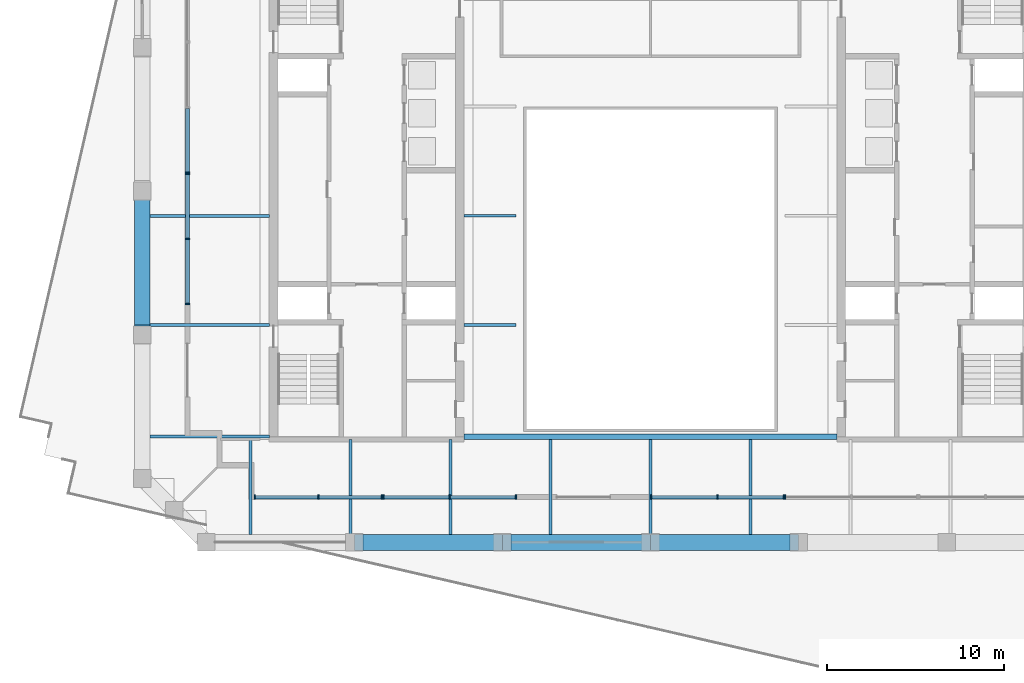
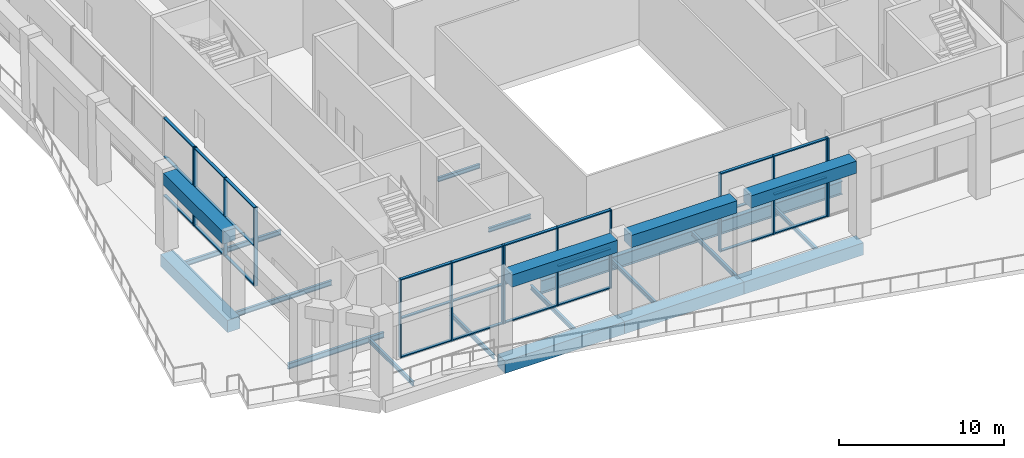
# One storey, part 2 of 20: 41 members, 20 beams, 6 elements without a shape of their own.
"""IFC4 building model written with IfcOpenShell, lengths in metres."""

from ifc_helpers import new_model, si_unit, direction, frame, origin, origin_2d, place, context, subcontext, project, spatial, rectangle, i_section, extrude, material, material_profile, profile_set, type_object, element, aggregate, save


model = new_model("IFC4")

# Units and contexts
model_context = context("Model", 3, precision=1e-05, world=origin(), true_north=direction((0.0, 1.0)))
body_context = subcontext(model_context, "Body", "Model", "MODEL_VIEW")
ifc_project = project(units=[si_unit("LENGTHUNIT", "METRE"), si_unit("AREAUNIT", "SQUARE_METRE"), si_unit("VOLUMEUNIT", "CUBIC_METRE"), si_unit("PLANEANGLEUNIT", "RADIAN"), si_unit("MASSUNIT", "GRAM", prefix="KILO")], contexts=[model_context])

# Site, building, storey
site_placement = place(None, origin())
site = spatial("IfcSite", under=ifc_project, at=site_placement, CompositionType="ELEMENT")
building_placement = place(site_placement, origin())
building = spatial("IfcBuilding", under=site, at=building_placement, Name="Ogive Exchange Tower", CompositionType="ELEMENT")
storey_placement = place(building_placement, frame((0.0, 0.0, 303.0)))
storey = spatial("IfcBuildingStorey", under=building, at=storey_placement, Name="L66", CompositionType="ELEMENT", Elevation=303.0)

# Beams
ifc_material_1 = material(Name="Steel ASTM A992 Gr50", Category="steel")
ifc_material_profile_1 = material_profile(ifc_material_1, i_section(OverallWidth=0.1650390625, OverallDepth=0.31005859375, WebThickness=0.005859375, FlangeThickness=0.009765625, at=origin_2d()), Name="W310x38.7")
ifc_profile_set_1 = profile_set([ifc_material_profile_1], Name="Steel ASTM A992 Gr50")
beam_type_1 = type_object("IfcBeamType", Name="Floor beam W310x38.7", PredefinedType="JOIST", material=ifc_profile_set_1)
for number, where, z_axis, x_axis, name in (
    (1, (-10.52001953125, 3.8583984375, -0.60498046875), (1.0, 0.0, 0.0), (0.0, 1.0, 0.0), "Floor beam"),
    (2, (-10.52001953125, 10.006591796875, -0.60498046875), (1.0, 0.0, 0.0), (0.0, 1.0, 0.0), "Floor beam"),
):
    element("IfcBeam", number, at=place(storey_placement, frame(where, z_axis=z_axis, x_axis=x_axis)), inside=storey, type_object=beam_type_1, Name=name, PredefinedType="JOIST", context=body_context, shape_type="SweptSolid", body=[
        extrude(i_section(OverallWidth=0.1650390625, OverallDepth=0.31005859375, WebThickness=0.005859375, FlangeThickness=0.009765625, at=origin_2d()), origin(), (0.0, 0.0, 1.0), 2.949951171875),
    ])
beam_1_placement = place(storey_placement, frame((-22.56005859375, -7.949951171875, -0.60498046875), z_axis=(0.0, 1.0, 0.0), x_axis=(-1.0, 0.0, 0.0)))
element("IfcBeam", 3, at=beam_1_placement, inside=storey, type_object=beam_type_1, Name="Floor beam", PredefinedType="JOIST", context=body_context, shape_type="SweptSolid", body=[
    extrude(i_section(OverallWidth=0.1650390625, OverallDepth=0.31005859375, WebThickness=0.005859375, FlangeThickness=0.009765625, at=origin_2d()), origin(), (0.0, 0.0, 1.0), 5.416015625),
])
for number, where, z_axis, x_axis, name in (
    (4, (-16.919921875, -7.949951171875, -0.60498046875), (0.0, 1.0, 0.0), (-1.0, 0.0, 0.0), "Floor beam"),
    (5, (-11.280029296875, -7.949951171875, -0.60498046875), (0.0, 1.0, 0.0), (-1.0, 0.0, 0.0), "Floor beam"),
):
    element("IfcBeam", number, at=place(storey_placement, frame(where, z_axis=z_axis, x_axis=x_axis)), inside=storey, type_object=beam_type_1, Name=name, PredefinedType="JOIST", context=body_context, shape_type="SweptSolid", body=[
        extrude(i_section(OverallWidth=0.1650390625, OverallDepth=0.31005859375, WebThickness=0.005859375, FlangeThickness=0.009765625, at=origin_2d()), origin(), (0.0, 0.0, 1.0), 5.349853515625),
    ])
for number, where, z_axis, x_axis, name in (
    (6, (-5.639892578125, -7.949951171875, -0.60498046875), (0.0, 1.0, 0.0), (-1.0, 0.0, 0.0), "Floor beam"),
    (7, (0.0, -7.949951171875, -0.60498046875), (0.0, 1.0, 0.0), (-1.0, 0.0, 0.0), "Floor beam"),
    (8, (5.639892578125, -7.949951171875, -0.60498046875), (0.0, 1.0, 0.0), (-1.0, 0.0, 0.0), "Floor beam"),
):
    element("IfcBeam", number, at=place(storey_placement, frame(where, z_axis=z_axis, x_axis=x_axis)), inside=storey, type_object=beam_type_1, Name=name, PredefinedType="JOIST", context=body_context, shape_type="SweptSolid", body=[
        extrude(i_section(OverallWidth=0.1650390625, OverallDepth=0.31005859375, WebThickness=0.005859375, FlangeThickness=0.009765625, at=origin_2d()), origin(), (0.0, 0.0, 1.0), 5.35498046875),
    ])
ifc_material_profile_2 = material_profile(ifc_material_1, i_section(OverallWidth=0.1708984375, OverallDepth=0.35595703125, WebThickness=0.00732421875, FlangeThickness=0.01171875, at=origin_2d()), Name="W360x51")
ifc_profile_set_2 = profile_set([ifc_material_profile_2], Name="Steel ASTM A992 Gr50")
beam_type_2 = type_object("IfcBeamType", Name="Floor beam W360x51", PredefinedType="JOIST", material=ifc_profile_set_2)
for number, where, z_axis, x_axis, name in (
    (9, (-28.199951171875, 3.8583984375, -0.6279296875), (1.0, 0.0, 0.0), (0.0, 1.0, 0.0), "Floor beam"),
    (10, (-28.199951171875, 10.006591796875, -0.6279296875), (1.0, 0.0, 0.0), (0.0, 1.0, 0.0), "Floor beam"),
):
    element("IfcBeam", number, at=place(storey_placement, frame(where, z_axis=z_axis, x_axis=x_axis)), inside=storey, type_object=beam_type_2, Name=name, PredefinedType="JOIST", context=body_context, shape_type="SweptSolid", body=[
        extrude(i_section(OverallWidth=0.1708984375, OverallDepth=0.35595703125, WebThickness=0.00732421875, FlangeThickness=0.01171875, at=origin_2d()), origin(), (0.0, 0.0, 1.0), 6.719970703125),
    ])
ifc_material_profile_3 = material_profile(ifc_material_1, i_section(OverallWidth=0.300048828125, OverallDepth=0.97998046875, WebThickness=0.0166015625, FlangeThickness=0.026123046875, at=origin_2d()), Name="W1000x249")
ifc_profile_set_3 = profile_set([ifc_material_profile_3], Name="Steel ASTM A992 Gr50")
beam_type_3 = type_object("IfcBeamType", Name="Girder W1000x249", PredefinedType="BEAM", material=ifc_profile_set_3)
beam_2_placement = place(storey_placement, frame((-10.52001953125, -2.445068359375, -0.93994140625), z_axis=(1.0, 0.0, 0.0), x_axis=(0.0, 1.0, 0.0)))
element("IfcBeam", 11, at=beam_2_placement, inside=storey, type_object=beam_type_3, Name="Header girder", PredefinedType="BEAM", context=body_context, shape_type="SweptSolid", body=[
    extrude(i_section(OverallWidth=0.300048828125, OverallDepth=0.97998046875, WebThickness=0.0166015625, FlangeThickness=0.026123046875, at=origin_2d()), origin(), (0.0, 0.0, 1.0), 21.0400390625),
])
ifc_material_profile_4 = material_profile(ifc_material_1, i_section(OverallWidth=0.177978515625, OverallDepth=0.406005859375, WebThickness=0.0078125, FlangeThickness=0.0126953125, at=origin_2d()), Name="W410x60")
ifc_profile_set_4 = profile_set([ifc_material_profile_4], Name="Steel ASTM A992 Gr50")
beam_type_4 = type_object("IfcBeamType", Name="Girder W410x60", PredefinedType="BEAM", material=ifc_profile_set_4)
beam_3_placement = place(storey_placement, frame((-28.199951171875, -2.445068359375, -0.653076171875), z_axis=(1.0, 0.0, 0.0), x_axis=(0.0, 1.0, 0.0)))
element("IfcBeam", 12, at=beam_3_placement, inside=storey, type_object=beam_type_4, Name="Header girder", PredefinedType="BEAM", context=body_context, shape_type="SweptSolid", body=[
    extrude(i_section(OverallWidth=0.177978515625, OverallDepth=0.406005859375, WebThickness=0.0078125, FlangeThickness=0.0126953125, at=origin_2d()), origin(), (0.0, 0.0, 1.0), 6.719970703125),
])
ifc_material_2 = material(Name="Precast concrete C70/85 (limestone faced)", Category="masonry")
ifc_material_profile_5 = material_profile(ifc_material_2, rectangle(XDim=0.89990234375, YDim=0.89990234375, at=origin_2d()), Name="900 x 900")
ifc_profile_set_5 = profile_set([ifc_material_profile_5], Name="Precast concrete C70/85 (limestone faced)")
beam_type_5 = type_object("IfcBeamType", Name="Precast spandrel 900 x 900 C70/85", PredefinedType="SPANDREL", material=ifc_profile_set_5)
beam_4_placement = place(storey_placement, frame((-16.219970703125, -8.39990234375, 5.300048828125), z_axis=(1.0, 0.0, 0.0), x_axis=(0.0, 1.0, 0.0)))
element("IfcBeam", 13, at=beam_4_placement, inside=storey, type_object=beam_type_5, Name="Spandrel 2", PredefinedType="SPANDREL", context=body_context, shape_type="SweptSolid", body=[
    extrude(rectangle(XDim=0.89990234375, YDim=0.89990234375, at=origin_2d()), origin(), (0.0, 0.0, 1.0), 7.389892578125),
])
for number, where, z_axis, x_axis, name in (
    (14, (-7.8701171875, -8.39990234375, 5.300048828125), (1.0, 0.0, 0.0), (0.0, 1.0, 0.0), "Spandrel 3"),
    (15, (0.47998046875, -8.39990234375, 5.300048828125), (1.0, 0.0, 0.0), (0.0, 1.0, 0.0), "Spandrel 4"),
):
    element("IfcBeam", number, at=place(storey_placement, frame(where, z_axis=z_axis, x_axis=x_axis)), inside=storey, type_object=beam_type_5, Name=name, PredefinedType="SPANDREL", context=body_context, shape_type="SweptSolid", body=[
        extrude(rectangle(XDim=0.89990234375, YDim=0.89990234375, at=origin_2d()), origin(), (0.0, 0.0, 1.0), 7.39013671875),
    ])
beam_5_placement = place(storey_placement, frame((-28.64990234375, 11.04736328125, 5.300048828125), z_axis=(0.0, -1.0, 0.0), x_axis=(1.0, 0.0, 0.0)))
element("IfcBeam", 16, at=beam_5_placement, inside=storey, type_object=beam_type_5, Name="Spandrel 31", PredefinedType="SPANDREL", context=body_context, shape_type="SweptSolid", body=[
    extrude(rectangle(XDim=0.89990234375, YDim=0.89990234375, at=origin_2d()), origin(), (0.0, 0.0, 1.0), 7.203857421875),
])
ifc_material_profile_6 = material_profile(ifc_material_2, rectangle(XDim=0.89990234375, YDim=0.89990234375, at=origin_2d()), Name="900 x 900")
ifc_profile_set_6 = profile_set([ifc_material_profile_6], Name="Precast concrete C70/85 (limestone faced)")
beam_type_6 = type_object("IfcBeamType", Name="Precast transfer girder 900 x 900 C70/85", PredefinedType="BEAM", material=ifc_profile_set_6)
beam_6_placement = place(storey_placement, frame((-16.699951171875, -8.39990234375, -0.89990234375), z_axis=(1.0, 0.0, 0.0), x_axis=(0.0, 1.0, 0.0)))
element("IfcBeam", 17, at=beam_6_placement, inside=storey, type_object=beam_type_6, Name="Transfer girder 2", PredefinedType="BEAM", context=body_context, shape_type="SweptSolid", body=[
    extrude(rectangle(XDim=0.89990234375, YDim=0.89990234375, at=origin_2d()), origin(), (0.0, 0.0, 1.0), 8.349853515625),
])
for number, where, z_axis, x_axis, name in (
    (18, (-8.35009765625, -8.39990234375, -0.89990234375), (1.0, 0.0, 0.0), (0.0, 1.0, 0.0), "Transfer girder 3"),
    (19, (0.0, -8.39990234375, -0.89990234375), (1.0, 0.0, 0.0), (0.0, 1.0, 0.0), "Transfer girder 4"),
):
    element("IfcBeam", number, at=place(storey_placement, frame(where, z_axis=z_axis, x_axis=x_axis)), inside=storey, type_object=beam_type_6, Name=name, PredefinedType="BEAM", context=body_context, shape_type="SweptSolid", body=[
        extrude(rectangle(XDim=0.89990234375, YDim=0.89990234375, at=origin_2d()), origin(), (0.0, 0.0, 1.0), 8.35009765625),
    ])
beam_7_placement = place(storey_placement, frame((-28.64990234375, 11.371337890625, -0.89990234375), z_axis=(0.0, -1.0, 0.0), x_axis=(1.0, 0.0, 0.0)))
element("IfcBeam", 20, at=beam_7_placement, inside=storey, type_object=beam_type_6, Name="Transfer girder 31", PredefinedType="BEAM", context=body_context, shape_type="SweptSolid", body=[
    extrude(rectangle(XDim=0.89990234375, YDim=0.89990234375, at=origin_2d()), origin(), (0.0, 0.0, 1.0), 8.085693359375),
])

# Curtain wall, members
ifc_material_3 = material(Name="Anodised aluminium and clear glass", Category="aluminium")
curtain_wall_type = type_object("IfcCurtainWallType", Name="Winter garden glazing", PredefinedType="NOTDEFINED", material=ifc_material_3)
curtain_wall_1_placement = place(storey_placement, origin())
curtain_wall_1 = element("IfcCurtainWall", 21, at=curtain_wall_1_placement, inside=storey, type_object=curtain_wall_type, Name="Winter garden glazing run G1", PredefinedType="NOTDEFINED")
ifc_material_4 = material(Name="Anodised aluminium", Category="aluminium")
ifc_material_profile_7 = material_profile(ifc_material_4, rectangle(XDim=0.239990234375, YDim=0.080078125, at=origin_2d()), Name="AL 80x240")
ifc_profile_set_7 = profile_set([ifc_material_profile_7], Name="Anodised aluminium")
member_type_1 = type_object("IfcMemberType", Name="Winter garden glazing mullion 80 x 240", PredefinedType="MULLION", material=ifc_profile_set_7)
member_1_placement = place(storey_placement, frame((-22.31005859375, -5.85009765625, 0.0), z_axis=(0.0, 0.0, 1.0), x_axis=(0.0, 1.0, 0.0)))
member_1 = element("IfcMember", 22, at=member_1_placement, type_object=member_type_1, Name="G1 mullion 1", PredefinedType="MULLION", context=body_context, shape_type="SweptSolid", body=[
    extrude(rectangle(XDim=0.239990234375, YDim=0.080078125, at=origin_2d()), origin(), (0.0, 0.0, 1.0), 5.800048828125),
])
member_2_placement = place(storey_placement, frame((-18.72509765625, -5.85009765625, 0.0), z_axis=(0.0, 0.0, 1.0), x_axis=(0.0, 1.0, 0.0)))
member_2 = element("IfcMember", 23, at=member_2_placement, type_object=member_type_1, Name="G1 mullion 2", PredefinedType="MULLION", context=body_context, shape_type="SweptSolid", body=[
    extrude(rectangle(XDim=0.239990234375, YDim=0.080078125, at=origin_2d()), origin(), (0.0, 0.0, 1.0), 5.800048828125),
])
member_3_placement = place(storey_placement, frame((-15.139892578125, -5.85009765625, 0.0), z_axis=(0.0, 0.0, 1.0), x_axis=(0.0, 1.0, 0.0)))
member_3 = element("IfcMember", 24, at=member_3_placement, type_object=member_type_1, Name="G1 mullion 3", PredefinedType="MULLION", context=body_context, shape_type="SweptSolid", body=[
    extrude(rectangle(XDim=0.239990234375, YDim=0.080078125, at=origin_2d()), origin(), (0.0, 0.0, 1.0), 5.800048828125),
])

curtain_wall_2_placement = place(storey_placement, origin())
curtain_wall_2 = element("IfcCurtainWall", 25, at=curtain_wall_2_placement, inside=storey, type_object=curtain_wall_type, Name="Winter garden glazing run G2", PredefinedType="NOTDEFINED")
member_4_placement = place(storey_placement, frame((-15.06005859375, -5.85009765625, 0.0), z_axis=(0.0, 0.0, 1.0), x_axis=(0.0, 1.0, 0.0)))
member_4 = element("IfcMember", 26, at=member_4_placement, type_object=member_type_1, Name="G2 mullion 1", PredefinedType="MULLION", context=body_context, shape_type="SweptSolid", body=[
    extrude(rectangle(XDim=0.239990234375, YDim=0.080078125, at=origin_2d()), origin(), (0.0, 0.0, 1.0), 5.800048828125),
])
member_5_placement = place(storey_placement, frame((-11.324951171875, -5.85009765625, 0.0), z_axis=(0.0, 0.0, 1.0), x_axis=(0.0, 1.0, 0.0)))
member_5 = element("IfcMember", 27, at=member_5_placement, type_object=member_type_1, Name="G2 mullion 2", PredefinedType="MULLION", context=body_context, shape_type="SweptSolid", body=[
    extrude(rectangle(XDim=0.239990234375, YDim=0.080078125, at=origin_2d()), origin(), (0.0, 0.0, 1.0), 5.800048828125),
])
member_6_placement = place(storey_placement, frame((-7.590087890625, -5.85009765625, 0.0), z_axis=(0.0, 0.0, 1.0), x_axis=(0.0, 1.0, 0.0)))
member_6 = element("IfcMember", 28, at=member_6_placement, type_object=member_type_1, Name="G2 mullion 3", PredefinedType="MULLION", context=body_context, shape_type="SweptSolid", body=[
    extrude(rectangle(XDim=0.239990234375, YDim=0.080078125, at=origin_2d()), origin(), (0.0, 0.0, 1.0), 5.800048828125),
])

curtain_wall_3_placement = place(storey_placement, origin())
curtain_wall_3 = element("IfcCurtainWall", 29, at=curtain_wall_3_placement, inside=storey, type_object=curtain_wall_type, Name="Winter garden glazing run G4", PredefinedType="NOTDEFINED")
member_7_placement = place(storey_placement, frame((0.0400390625, -5.85009765625, 0.0), z_axis=(0.0, 0.0, 1.0), x_axis=(0.0, 1.0, 0.0)))
member_7 = element("IfcMember", 30, at=member_7_placement, type_object=member_type_1, Name="G4 mullion 1", PredefinedType="MULLION", context=body_context, shape_type="SweptSolid", body=[
    extrude(rectangle(XDim=0.239990234375, YDim=0.080078125, at=origin_2d()), origin(), (0.0, 0.0, 1.0), 5.800048828125),
])
member_8_placement = place(storey_placement, frame((3.77490234375, -5.85009765625, 0.0), z_axis=(0.0, 0.0, 1.0), x_axis=(0.0, 1.0, 0.0)))
member_8 = element("IfcMember", 31, at=member_8_placement, type_object=member_type_1, Name="G4 mullion 2", PredefinedType="MULLION", context=body_context, shape_type="SweptSolid", body=[
    extrude(rectangle(XDim=0.239990234375, YDim=0.080078125, at=origin_2d()), origin(), (0.0, 0.0, 1.0), 5.800048828125),
])
member_9_placement = place(storey_placement, frame((7.510009765625, -5.85009765625, 0.0), z_axis=(0.0, 0.0, 1.0), x_axis=(0.0, 1.0, 0.0)))
member_9 = element("IfcMember", 32, at=member_9_placement, type_object=member_type_1, Name="G4 mullion 3", PredefinedType="MULLION", context=body_context, shape_type="SweptSolid", body=[
    extrude(rectangle(XDim=0.239990234375, YDim=0.080078125, at=origin_2d()), origin(), (0.0, 0.0, 1.0), 5.800048828125),
])

# Curtain wall, member
curtain_wall_4_placement = place(storey_placement, origin())
curtain_wall_4 = element("IfcCurtainWall", 33, at=curtain_wall_4_placement, inside=storey, type_object=curtain_wall_type, Name="Winter garden glazing run G5", PredefinedType="NOTDEFINED")
member_10_placement = place(storey_placement, frame((7.590087890625, -5.85009765625, 0.0), z_axis=(0.0, 0.0, 1.0), x_axis=(0.0, 1.0, 0.0)))
member_10 = element("IfcMember", 34, at=member_10_placement, type_object=member_type_1, Name="G5 mullion 1", PredefinedType="MULLION", context=body_context, shape_type="SweptSolid", body=[
    extrude(rectangle(XDim=0.239990234375, YDim=0.080078125, at=origin_2d()), origin(), (0.0, 0.0, 1.0), 5.800048828125),
])
aggregate(curtain_wall_4, [member_10])

curtain_wall_5_placement = place(storey_placement, origin())
curtain_wall_5 = element("IfcCurtainWall", 35, at=curtain_wall_5_placement, inside=storey, type_object=curtain_wall_type, Name="Winter garden glazing run G24", PredefinedType="NOTDEFINED")
member_11_placement = place(storey_placement, frame((-26.10009765625, 12.43994140625, 0.0), z_axis=(0.0, 0.0, 1.0), x_axis=(1.0, 0.0, 0.0)))
member_11 = element("IfcMember", 36, at=member_11_placement, type_object=member_type_1, Name="G24 mullion 3", PredefinedType="MULLION", context=body_context, shape_type="SweptSolid", body=[
    extrude(rectangle(XDim=0.239990234375, YDim=0.080078125, at=origin_2d()), origin(), (0.0, 0.0, 1.0), 5.800048828125),
])

# Curtain wall, members
curtain_wall_6_placement = place(storey_placement, origin())
curtain_wall_6 = element("IfcCurtainWall", 37, at=curtain_wall_6_placement, inside=storey, type_object=curtain_wall_type, Name="Winter garden glazing run G25", PredefinedType="NOTDEFINED")
member_12_placement = place(storey_placement, frame((-26.10009765625, 12.360107421875, 0.0), z_axis=(0.0, 0.0, 1.0), x_axis=(1.0, 0.0, 0.0)))
member_12 = element("IfcMember", 38, at=member_12_placement, type_object=member_type_1, Name="G25 mullion 1", PredefinedType="MULLION", context=body_context, shape_type="SweptSolid", body=[
    extrude(rectangle(XDim=0.239990234375, YDim=0.080078125, at=origin_2d()), origin(), (0.0, 0.0, 1.0), 5.800048828125),
])
member_13_placement = place(storey_placement, frame((-26.10009765625, 8.699951171875, 0.0), z_axis=(0.0, 0.0, 1.0), x_axis=(1.0, 0.0, 0.0)))
member_13 = element("IfcMember", 39, at=member_13_placement, type_object=member_type_1, Name="G25 mullion 2", PredefinedType="MULLION", context=body_context, shape_type="SweptSolid", body=[
    extrude(rectangle(XDim=0.239990234375, YDim=0.080078125, at=origin_2d()), origin(), (0.0, 0.0, 1.0), 5.800048828125),
])
member_14_placement = place(storey_placement, frame((-26.10009765625, 5.0400390625, 0.0), z_axis=(0.0, 0.0, 1.0), x_axis=(1.0, 0.0, 0.0)))
member_14 = element("IfcMember", 40, at=member_14_placement, type_object=member_type_1, Name="G25 mullion 3", PredefinedType="MULLION", context=body_context, shape_type="SweptSolid", body=[
    extrude(rectangle(XDim=0.239990234375, YDim=0.080078125, at=origin_2d()), origin(), (0.0, 0.0, 1.0), 5.800048828125),
])

# Member
ifc_material_profile_8 = material_profile(ifc_material_4, rectangle(XDim=0.199951171875, YDim=0.080078125, at=origin_2d()), Name="AL 80x200")
ifc_profile_set_8 = profile_set([ifc_material_profile_8], Name="Anodised aluminium")
member_type_2 = type_object("IfcMemberType", Name="Winter garden glazing transom 80 x 200", PredefinedType="USERDEFINED", material=ifc_profile_set_8)
member_15_placement = place(storey_placement, frame((-22.27001953125, -5.85009765625, 0.0400390625), z_axis=(1.0, 0.0, 0.0), x_axis=(0.0, 1.0, 0.0)))
member_15 = element("IfcMember", 41, at=member_15_placement, type_object=member_type_2, Name="G1 transom 1.1", ObjectType="TRANSOM", PredefinedType="USERDEFINED", context=body_context, shape_type="SweptSolid", body=[
    extrude(rectangle(XDim=0.199951171875, YDim=0.080078125, at=origin_2d()), origin(), (0.0, 0.0, 1.0), 3.505126953125),
])

member_16_placement = place(storey_placement, frame((-22.27001953125, -5.85009765625, 2.89990234375), z_axis=(1.0, 0.0, 0.0), x_axis=(0.0, 1.0, 0.0)))
member_16 = element("IfcMember", 42, at=member_16_placement, type_object=member_type_2, Name="G1 transom 1.2", ObjectType="TRANSOM", PredefinedType="USERDEFINED", context=body_context, shape_type="SweptSolid", body=[
    extrude(rectangle(XDim=0.199951171875, YDim=0.080078125, at=origin_2d()), origin(), (0.0, 0.0, 1.0), 3.505126953125),
])

member_17_placement = place(storey_placement, frame((-22.27001953125, -5.85009765625, 5.760009765625), z_axis=(1.0, 0.0, 0.0), x_axis=(0.0, 1.0, 0.0)))
member_17 = element("IfcMember", 43, at=member_17_placement, type_object=member_type_2, Name="G1 transom 1.3", ObjectType="TRANSOM", PredefinedType="USERDEFINED", context=body_context, shape_type="SweptSolid", body=[
    extrude(rectangle(XDim=0.199951171875, YDim=0.080078125, at=origin_2d()), origin(), (0.0, 0.0, 1.0), 3.505126953125),
])

member_18_placement = place(storey_placement, frame((-18.68505859375, -5.85009765625, 0.0400390625), z_axis=(1.0, 0.0, 0.0), x_axis=(0.0, 1.0, 0.0)))
member_18 = element("IfcMember", 44, at=member_18_placement, type_object=member_type_2, Name="G1 transom 2.1", ObjectType="TRANSOM", PredefinedType="USERDEFINED", context=body_context, shape_type="SweptSolid", body=[
    extrude(rectangle(XDim=0.199951171875, YDim=0.080078125, at=origin_2d()), origin(), (0.0, 0.0, 1.0), 3.505126953125),
])

member_19_placement = place(storey_placement, frame((-18.68505859375, -5.85009765625, 2.89990234375), z_axis=(1.0, 0.0, 0.0), x_axis=(0.0, 1.0, 0.0)))
member_19 = element("IfcMember", 45, at=member_19_placement, type_object=member_type_2, Name="G1 transom 2.2", ObjectType="TRANSOM", PredefinedType="USERDEFINED", context=body_context, shape_type="SweptSolid", body=[
    extrude(rectangle(XDim=0.199951171875, YDim=0.080078125, at=origin_2d()), origin(), (0.0, 0.0, 1.0), 3.505126953125),
])

member_20_placement = place(storey_placement, frame((-18.68505859375, -5.85009765625, 5.760009765625), z_axis=(1.0, 0.0, 0.0), x_axis=(0.0, 1.0, 0.0)))
member_20 = element("IfcMember", 46, at=member_20_placement, type_object=member_type_2, Name="G1 transom 2.3", ObjectType="TRANSOM", PredefinedType="USERDEFINED", context=body_context, shape_type="SweptSolid", body=[
    extrude(rectangle(XDim=0.199951171875, YDim=0.080078125, at=origin_2d()), origin(), (0.0, 0.0, 1.0), 3.505126953125),
])

aggregate(curtain_wall_1, [member_1, member_2, member_3, member_15, member_16, member_17, member_18, member_19, member_20])

member_21_placement = place(storey_placement, frame((-15.02001953125, -5.85009765625, 0.0400390625), z_axis=(1.0, 0.0, 0.0), x_axis=(0.0, 1.0, 0.0)))
member_21 = element("IfcMember", 47, at=member_21_placement, type_object=member_type_2, Name="G2 transom 1.1", ObjectType="TRANSOM", PredefinedType="USERDEFINED", context=body_context, shape_type="SweptSolid", body=[
    extrude(rectangle(XDim=0.199951171875, YDim=0.080078125, at=origin_2d()), origin(), (0.0, 0.0, 1.0), 3.655029296875),
])

member_22_placement = place(storey_placement, frame((-15.02001953125, -5.85009765625, 2.89990234375), z_axis=(1.0, 0.0, 0.0), x_axis=(0.0, 1.0, 0.0)))
member_22 = element("IfcMember", 48, at=member_22_placement, type_object=member_type_2, Name="G2 transom 1.2", ObjectType="TRANSOM", PredefinedType="USERDEFINED", context=body_context, shape_type="SweptSolid", body=[
    extrude(rectangle(XDim=0.199951171875, YDim=0.080078125, at=origin_2d()), origin(), (0.0, 0.0, 1.0), 3.655029296875),
])

member_23_placement = place(storey_placement, frame((-15.02001953125, -5.85009765625, 5.760009765625), z_axis=(1.0, 0.0, 0.0), x_axis=(0.0, 1.0, 0.0)))
member_23 = element("IfcMember", 49, at=member_23_placement, type_object=member_type_2, Name="G2 transom 1.3", ObjectType="TRANSOM", PredefinedType="USERDEFINED", context=body_context, shape_type="SweptSolid", body=[
    extrude(rectangle(XDim=0.199951171875, YDim=0.080078125, at=origin_2d()), origin(), (0.0, 0.0, 1.0), 3.655029296875),
])

member_24_placement = place(storey_placement, frame((-11.284912109375, -5.85009765625, 0.0400390625), z_axis=(1.0, 0.0, 0.0), x_axis=(0.0, 1.0, 0.0)))
member_24 = element("IfcMember", 50, at=member_24_placement, type_object=member_type_2, Name="G2 transom 2.1", ObjectType="TRANSOM", PredefinedType="USERDEFINED", context=body_context, shape_type="SweptSolid", body=[
    extrude(rectangle(XDim=0.199951171875, YDim=0.080078125, at=origin_2d()), origin(), (0.0, 0.0, 1.0), 3.655029296875),
])

member_25_placement = place(storey_placement, frame((-11.284912109375, -5.85009765625, 2.89990234375), z_axis=(1.0, 0.0, 0.0), x_axis=(0.0, 1.0, 0.0)))
member_25 = element("IfcMember", 51, at=member_25_placement, type_object=member_type_2, Name="G2 transom 2.2", ObjectType="TRANSOM", PredefinedType="USERDEFINED", context=body_context, shape_type="SweptSolid", body=[
    extrude(rectangle(XDim=0.199951171875, YDim=0.080078125, at=origin_2d()), origin(), (0.0, 0.0, 1.0), 3.655029296875),
])

member_26_placement = place(storey_placement, frame((-11.284912109375, -5.85009765625, 5.760009765625), z_axis=(1.0, 0.0, 0.0), x_axis=(0.0, 1.0, 0.0)))
member_26 = element("IfcMember", 52, at=member_26_placement, type_object=member_type_2, Name="G2 transom 2.3", ObjectType="TRANSOM", PredefinedType="USERDEFINED", context=body_context, shape_type="SweptSolid", body=[
    extrude(rectangle(XDim=0.199951171875, YDim=0.080078125, at=origin_2d()), origin(), (0.0, 0.0, 1.0), 3.655029296875),
])

aggregate(curtain_wall_2, [member_4, member_5, member_6, member_21, member_22, member_23, member_24, member_25, member_26])

member_27_placement = place(storey_placement, frame((0.080078125, -5.85009765625, 0.0400390625), z_axis=(1.0, 0.0, 0.0), x_axis=(0.0, 1.0, 0.0)))
member_27 = element("IfcMember", 53, at=member_27_placement, type_object=member_type_2, Name="G4 transom 1.1", ObjectType="TRANSOM", PredefinedType="USERDEFINED", context=body_context, shape_type="SweptSolid", body=[
    extrude(rectangle(XDim=0.199951171875, YDim=0.080078125, at=origin_2d()), origin(), (0.0, 0.0, 1.0), 3.655029296875),
])

member_28_placement = place(storey_placement, frame((0.080078125, -5.85009765625, 2.89990234375), z_axis=(1.0, 0.0, 0.0), x_axis=(0.0, 1.0, 0.0)))
member_28 = element("IfcMember", 54, at=member_28_placement, type_object=member_type_2, Name="G4 transom 1.2", ObjectType="TRANSOM", PredefinedType="USERDEFINED", context=body_context, shape_type="SweptSolid", body=[
    extrude(rectangle(XDim=0.199951171875, YDim=0.080078125, at=origin_2d()), origin(), (0.0, 0.0, 1.0), 3.655029296875),
])

member_29_placement = place(storey_placement, frame((0.080078125, -5.85009765625, 5.760009765625), z_axis=(1.0, 0.0, 0.0), x_axis=(0.0, 1.0, 0.0)))
member_29 = element("IfcMember", 55, at=member_29_placement, type_object=member_type_2, Name="G4 transom 1.3", ObjectType="TRANSOM", PredefinedType="USERDEFINED", context=body_context, shape_type="SweptSolid", body=[
    extrude(rectangle(XDim=0.199951171875, YDim=0.080078125, at=origin_2d()), origin(), (0.0, 0.0, 1.0), 3.655029296875),
])

member_30_placement = place(storey_placement, frame((3.81494140625, -5.85009765625, 0.0400390625), z_axis=(1.0, 0.0, 0.0), x_axis=(0.0, 1.0, 0.0)))
member_30 = element("IfcMember", 56, at=member_30_placement, type_object=member_type_2, Name="G4 transom 2.1", ObjectType="TRANSOM", PredefinedType="USERDEFINED", context=body_context, shape_type="SweptSolid", body=[
    extrude(rectangle(XDim=0.199951171875, YDim=0.080078125, at=origin_2d()), origin(), (0.0, 0.0, 1.0), 3.655029296875),
])

member_31_placement = place(storey_placement, frame((3.81494140625, -5.85009765625, 2.89990234375), z_axis=(1.0, 0.0, 0.0), x_axis=(0.0, 1.0, 0.0)))
member_31 = element("IfcMember", 57, at=member_31_placement, type_object=member_type_2, Name="G4 transom 2.2", ObjectType="TRANSOM", PredefinedType="USERDEFINED", context=body_context, shape_type="SweptSolid", body=[
    extrude(rectangle(XDim=0.199951171875, YDim=0.080078125, at=origin_2d()), origin(), (0.0, 0.0, 1.0), 3.655029296875),
])

member_32_placement = place(storey_placement, frame((3.81494140625, -5.85009765625, 5.760009765625), z_axis=(1.0, 0.0, 0.0), x_axis=(0.0, 1.0, 0.0)))
member_32 = element("IfcMember", 58, at=member_32_placement, type_object=member_type_2, Name="G4 transom 2.3", ObjectType="TRANSOM", PredefinedType="USERDEFINED", context=body_context, shape_type="SweptSolid", body=[
    extrude(rectangle(XDim=0.199951171875, YDim=0.080078125, at=origin_2d()), origin(), (0.0, 0.0, 1.0), 3.655029296875),
])

aggregate(curtain_wall_3, [member_7, member_8, member_9, member_27, member_28, member_29, member_30, member_31, member_32])

member_33_placement = place(storey_placement, frame((-26.10009765625, 16.06005859375, 0.0400390625), z_axis=(0.0, -1.0, 0.0), x_axis=(1.0, 0.0, 0.0)))
member_33 = element("IfcMember", 59, at=member_33_placement, type_object=member_type_2, Name="G24 transom 2.1", ObjectType="TRANSOM", PredefinedType="USERDEFINED", context=body_context, shape_type="SweptSolid", body=[
    extrude(rectangle(XDim=0.199951171875, YDim=0.080078125, at=origin_2d()), origin(), (0.0, 0.0, 1.0), 3.580078125),
])

member_34_placement = place(storey_placement, frame((-26.10009765625, 16.06005859375, 2.89990234375), z_axis=(0.0, -1.0, 0.0), x_axis=(1.0, 0.0, 0.0)))
member_34 = element("IfcMember", 60, at=member_34_placement, type_object=member_type_2, Name="G24 transom 2.2", ObjectType="TRANSOM", PredefinedType="USERDEFINED", context=body_context, shape_type="SweptSolid", body=[
    extrude(rectangle(XDim=0.199951171875, YDim=0.080078125, at=origin_2d()), origin(), (0.0, 0.0, 1.0), 3.580078125),
])

member_35_placement = place(storey_placement, frame((-26.10009765625, 16.06005859375, 5.760009765625), z_axis=(0.0, -1.0, 0.0), x_axis=(1.0, 0.0, 0.0)))
member_35 = element("IfcMember", 61, at=member_35_placement, type_object=member_type_2, Name="G24 transom 2.3", ObjectType="TRANSOM", PredefinedType="USERDEFINED", context=body_context, shape_type="SweptSolid", body=[
    extrude(rectangle(XDim=0.199951171875, YDim=0.080078125, at=origin_2d()), origin(), (0.0, 0.0, 1.0), 3.580078125),
])

aggregate(curtain_wall_5, [member_11, member_33, member_34, member_35])

member_36_placement = place(storey_placement, frame((-26.10009765625, 12.320068359375, 0.0400390625), z_axis=(0.0, -1.0, 0.0), x_axis=(1.0, 0.0, 0.0)))
member_36 = element("IfcMember", 62, at=member_36_placement, type_object=member_type_2, Name="G25 transom 1.1", ObjectType="TRANSOM", PredefinedType="USERDEFINED", context=body_context, shape_type="SweptSolid", body=[
    extrude(rectangle(XDim=0.199951171875, YDim=0.080078125, at=origin_2d()), origin(), (0.0, 0.0, 1.0), 3.580078125),
])

member_37_placement = place(storey_placement, frame((-26.10009765625, 12.320068359375, 2.89990234375), z_axis=(0.0, -1.0, 0.0), x_axis=(1.0, 0.0, 0.0)))
member_37 = element("IfcMember", 63, at=member_37_placement, type_object=member_type_2, Name="G25 transom 1.2", ObjectType="TRANSOM", PredefinedType="USERDEFINED", context=body_context, shape_type="SweptSolid", body=[
    extrude(rectangle(XDim=0.199951171875, YDim=0.080078125, at=origin_2d()), origin(), (0.0, 0.0, 1.0), 3.580078125),
])

member_38_placement = place(storey_placement, frame((-26.10009765625, 12.320068359375, 5.760009765625), z_axis=(0.0, -1.0, 0.0), x_axis=(1.0, 0.0, 0.0)))
member_38 = element("IfcMember", 64, at=member_38_placement, type_object=member_type_2, Name="G25 transom 1.3", ObjectType="TRANSOM", PredefinedType="USERDEFINED", context=body_context, shape_type="SweptSolid", body=[
    extrude(rectangle(XDim=0.199951171875, YDim=0.080078125, at=origin_2d()), origin(), (0.0, 0.0, 1.0), 3.580078125),
])

member_39_placement = place(storey_placement, frame((-26.10009765625, 8.659912109375, 0.0400390625), z_axis=(0.0, -1.0, 0.0), x_axis=(1.0, 0.0, 0.0)))
member_39 = element("IfcMember", 65, at=member_39_placement, type_object=member_type_2, Name="G25 transom 2.1", ObjectType="TRANSOM", PredefinedType="USERDEFINED", context=body_context, shape_type="SweptSolid", body=[
    extrude(rectangle(XDim=0.199951171875, YDim=0.080078125, at=origin_2d()), origin(), (0.0, 0.0, 1.0), 3.579833984375),
])

member_40_placement = place(storey_placement, frame((-26.10009765625, 8.659912109375, 2.89990234375), z_axis=(0.0, -1.0, 0.0), x_axis=(1.0, 0.0, 0.0)))
member_40 = element("IfcMember", 66, at=member_40_placement, type_object=member_type_2, Name="G25 transom 2.2", ObjectType="TRANSOM", PredefinedType="USERDEFINED", context=body_context, shape_type="SweptSolid", body=[
    extrude(rectangle(XDim=0.199951171875, YDim=0.080078125, at=origin_2d()), origin(), (0.0, 0.0, 1.0), 3.579833984375),
])

member_41_placement = place(storey_placement, frame((-26.10009765625, 8.659912109375, 5.760009765625), z_axis=(0.0, -1.0, 0.0), x_axis=(1.0, 0.0, 0.0)))
member_41 = element("IfcMember", 67, at=member_41_placement, type_object=member_type_2, Name="G25 transom 2.3", ObjectType="TRANSOM", PredefinedType="USERDEFINED", context=body_context, shape_type="SweptSolid", body=[
    extrude(rectangle(XDim=0.199951171875, YDim=0.080078125, at=origin_2d()), origin(), (0.0, 0.0, 1.0), 3.579833984375),
])

aggregate(curtain_wall_6, [member_12, member_13, member_14, member_36, member_37, member_38, member_39, member_40, member_41])

save(model, "model.ifc")
